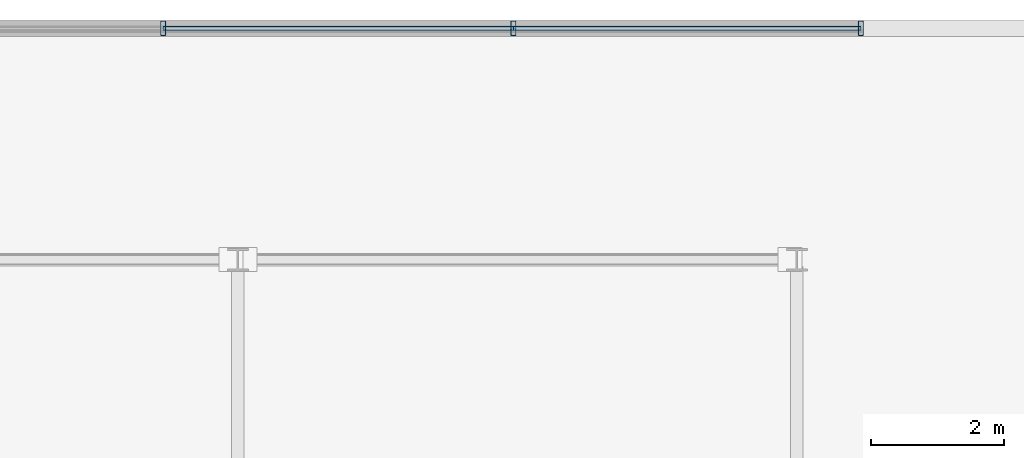
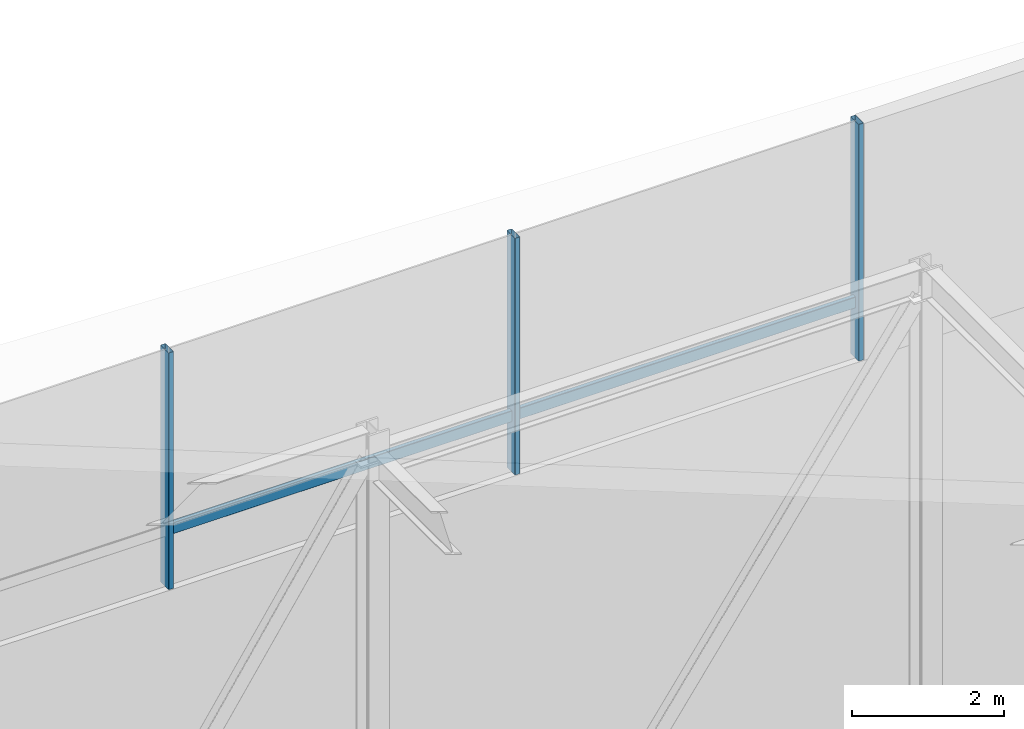
# One storey, part 21 of 39: 5 members, 1 element without a shape of its own.
"""IFC4 building model written with IfcOpenShell, lengths in metres."""

from ifc_helpers import new_model, si_unit, direction, frame, origin, origin_2d, place, context, subcontext, project, spatial, hollow_rectangle, extrude, material, layer, layer_set, material_profile, profile_set, type_object, element, aggregate, save


model = new_model("IFC4")

# Units and contexts
model_context = context("Model", 3, precision=1e-05, world=origin(), true_north=direction((0.0, 1.0)))
body_context = subcontext(model_context, "Body", "Model", "MODEL_VIEW")
ifc_project = project(units=[si_unit("LENGTHUNIT", "METRE"), si_unit("AREAUNIT", "SQUARE_METRE"), si_unit("VOLUMEUNIT", "CUBIC_METRE"), si_unit("PLANEANGLEUNIT", "RADIAN"), si_unit("MASSUNIT", "GRAM", prefix="KILO")], contexts=[model_context])

# Site, building, storey
site_placement = place(None, origin())
site = spatial("IfcSite", under=ifc_project, at=site_placement, CompositionType="ELEMENT")
building_placement = place(site_placement, origin())
building = spatial("IfcBuilding", under=site, at=building_placement, Name="Korimba Cascade Residences", CompositionType="ELEMENT")
storey_placement = place(building_placement, frame((0.0, 0.0, 264.199951171875)))
storey = spatial("IfcBuildingStorey", under=building, at=storey_placement, Name="RF", CompositionType="ELEMENT", Elevation=264.199951171875)

# Curtain wall, members
ifc_material_1 = material(Name="Anodised Aluminium Curtain Wall Framing", Category="aluminium")
ifc_layer = layer(ifc_material_1, 0.179931640625)
ifc_layer_set = layer_set([ifc_layer], Name="Anodised Aluminium Curtain Wall Framing")
curtain_wall_type = type_object("IfcCurtainWallType", Name="CW-CRNW-SYS5", PredefinedType="NOTDEFINED", material=ifc_layer_set)
curtain_wall_placement = place(storey_placement, origin())
curtain_wall = element("IfcCurtainWall", 1, at=curtain_wall_placement, inside=storey, type_object=curtain_wall_type, Name="RF Curtain Wall CW-RF-CRN-W-2", PredefinedType="NOTDEFINED")
ifc_material_2 = material(Name="Anodised Aluminium Mullion", Category="aluminium")
ifc_material_profile_1 = material_profile(ifc_material_2, hollow_rectangle(XDim=0.080078125, YDim=0.219970703125, WallThickness=0.00634765625, InnerFilletRadius=0.00634765625, OuterFilletRadius=0.0126953125, at=origin_2d()), Name="Anodised Aluminium Mullion")
ifc_profile_set_1 = profile_set([ifc_material_profile_1], Name="Anodised Aluminium Mullion")
member_type_1 = type_object("IfcMemberType", Name="CWM-MUL-220", PredefinedType="MULLION", material=ifc_profile_set_1)
member_1_placement = place(storey_placement, frame((74.97998046875, 94.675048828125, 8.150146484375), z_axis=(0.0, 0.0, 1.0), x_axis=(1.0, 0.0, 0.0)))
member_1 = element("IfcMember", 2, at=member_1_placement, type_object=member_type_1, Name="CW-RF-CRN-W-2 Mullion 4", PredefinedType="MULLION", context=body_context, shape_type="SweptSolid", body=[
    extrude(hollow_rectangle(XDim=0.080078125, YDim=0.219970703125, WallThickness=0.00634765625, InnerFilletRadius=0.00634765625, OuterFilletRadius=0.0126953125, at=origin_2d()), origin(), (0.0, 0.0, 1.0), 3.7998046875),
])
member_2_placement = place(storey_placement, frame((80.239990234375, 94.675048828125, 8.150146484375), z_axis=(0.0, 0.0, 1.0), x_axis=(1.0, 0.0, 0.0)))
member_2 = element("IfcMember", 3, at=member_2_placement, type_object=member_type_1, Name="CW-RF-CRN-W-2 Mullion 5", PredefinedType="MULLION", context=body_context, shape_type="SweptSolid", body=[
    extrude(hollow_rectangle(XDim=0.080078125, YDim=0.219970703125, WallThickness=0.00634765625, InnerFilletRadius=0.00634765625, OuterFilletRadius=0.0126953125, at=origin_2d()), origin(), (0.0, 0.0, 1.0), 3.7998046875),
])
member_3_placement = place(storey_placement, frame((85.4599609375, 94.675048828125, 8.150146484375), z_axis=(0.0, 0.0, 1.0), x_axis=(1.0, 0.0, 0.0)))
member_3 = element("IfcMember", 4, at=member_3_placement, type_object=member_type_1, Name="CW-RF-CRN-W-2 Mullion 6", PredefinedType="MULLION", context=body_context, shape_type="SweptSolid", body=[
    extrude(hollow_rectangle(XDim=0.080078125, YDim=0.219970703125, WallThickness=0.00634765625, InnerFilletRadius=0.00634765625, OuterFilletRadius=0.0126953125, at=origin_2d()), origin(), (0.0, 0.0, 1.0), 3.7998046875),
])
ifc_material_3 = material(Name="Anodised Aluminium Transom", Category="aluminium")
ifc_material_profile_2 = material_profile(ifc_material_3, hollow_rectangle(XDim=0.070068359375, YDim=0.179931640625, WallThickness=0.0048828125, InnerFilletRadius=0.0048828125, OuterFilletRadius=0.010009765625, at=origin_2d()), Name="Anodised Aluminium Transom")
ifc_profile_set_2 = profile_set([ifc_material_profile_2], Name="Anodised Aluminium Transom")
member_type_2 = type_object("IfcMemberType", Name="CWM-TRN-150", PredefinedType="USERDEFINED", material=ifc_profile_set_2)
member_4_placement = place(storey_placement, frame((74.97998046875, 94.675048828125, 9.050048828125), z_axis=(1.0, 0.0, 0.0), x_axis=(0.0, 1.0, 0.0)))
member_4 = element("IfcMember", 5, at=member_4_placement, type_object=member_type_2, Name="CW-RF-CRN-W-2 Transom 4", ObjectType="TRANSOM", PredefinedType="USERDEFINED", context=body_context, shape_type="SweptSolid", body=[
    extrude(hollow_rectangle(XDim=0.070068359375, YDim=0.179931640625, WallThickness=0.0048828125, InnerFilletRadius=0.0048828125, OuterFilletRadius=0.010009765625, at=origin_2d()), origin(), (0.0, 0.0, 1.0), 5.260009765625),
])
member_5_placement = place(storey_placement, frame((80.239990234375, 94.675048828125, 9.050048828125), z_axis=(1.0, 0.0, 0.0), x_axis=(0.0, 1.0, 0.0)))
member_5 = element("IfcMember", 6, at=member_5_placement, type_object=member_type_2, Name="CW-RF-CRN-W-2 Transom 5", ObjectType="TRANSOM", PredefinedType="USERDEFINED", context=body_context, shape_type="SweptSolid", body=[
    extrude(hollow_rectangle(XDim=0.070068359375, YDim=0.179931640625, WallThickness=0.0048828125, InnerFilletRadius=0.0048828125, OuterFilletRadius=0.010009765625, at=origin_2d()), origin(), (0.0, 0.0, 1.0), 5.219970703125),
])
aggregate(curtain_wall, [member_1, member_2, member_3, member_4, member_5])

save(model, "model.ifc")
